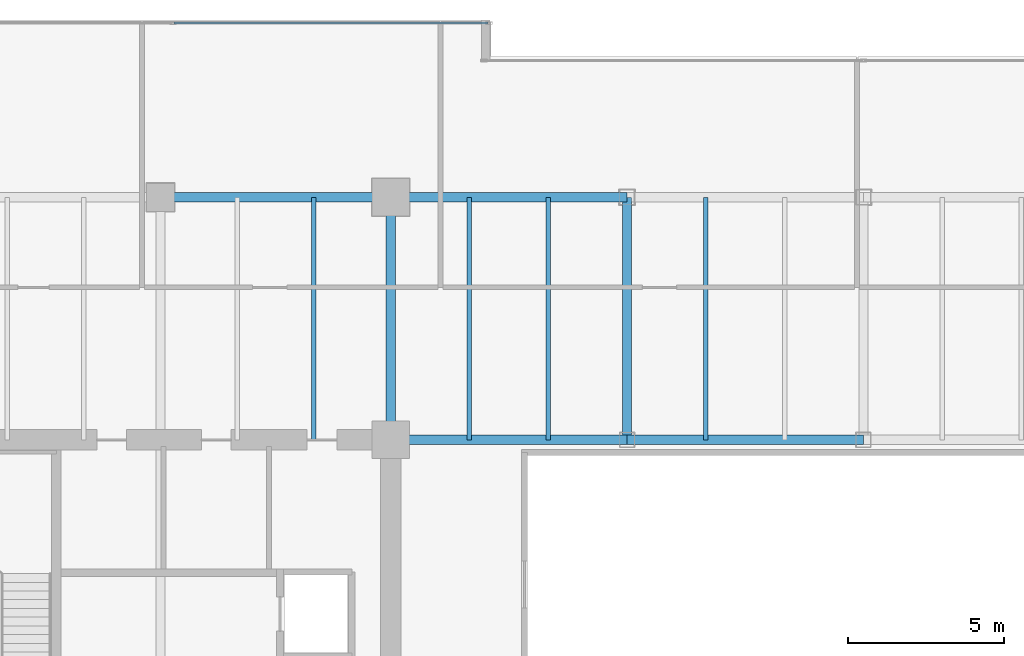
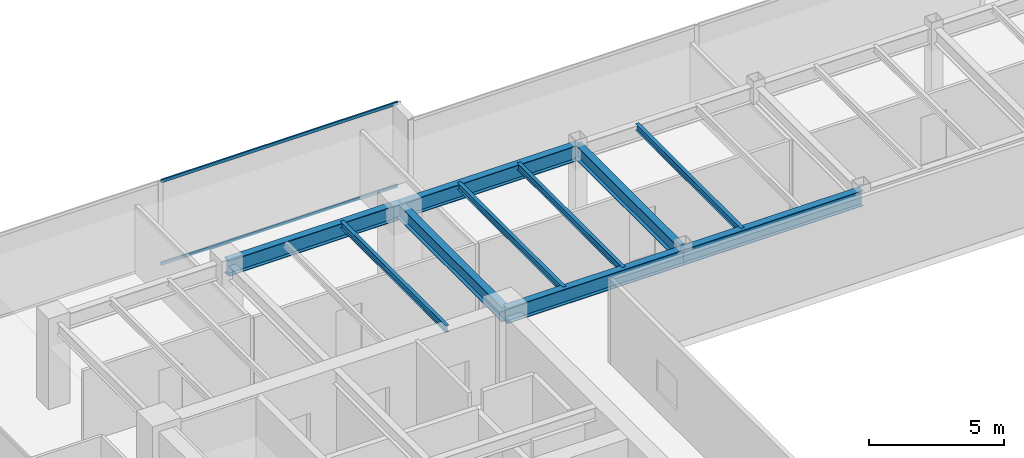
# One storey, part 15 of 33: 10 beams, 2 members, 1 element without a shape of its own.
"""IFC4 building model written with IfcOpenShell, lengths in metres."""

from ifc_helpers import new_model, si_unit, direction, frame, origin, origin_2d, place, context, subcontext, project, spatial, hollow_rectangle, i_section, extrude, source, transform, mapped, material, layer, layer_set, material_profile, profile_set, type_object, type_shapes, element, aggregate, save


model = new_model("IFC4")

# Units and contexts
model_context = context("Model", 3, precision=1e-05, world=origin(), true_north=direction((0.0, 1.0)))
body_context = subcontext(model_context, "Body", "Model", "MODEL_VIEW")
ifc_project = project(units=[si_unit("LENGTHUNIT", "METRE"), si_unit("AREAUNIT", "SQUARE_METRE"), si_unit("VOLUMEUNIT", "CUBIC_METRE"), si_unit("PLANEANGLEUNIT", "RADIAN"), si_unit("MASSUNIT", "GRAM", prefix="KILO")], contexts=[model_context])

# Site, building, storey
site_placement = place(None, origin())
site = spatial("IfcSite", under=ifc_project, at=site_placement, CompositionType="ELEMENT")
building_placement = place(site_placement, origin())
building = spatial("IfcBuilding", under=site, at=building_placement, Name="Haelvirn Gate Laboratories", CompositionType="ELEMENT")
storey_placement = place(building_placement, frame((0.0, 0.0, 133.800048828125)))
storey = spatial("IfcBuildingStorey", under=building, at=storey_placement, Name="L32", CompositionType="ELEMENT", Elevation=133.800048828125)

# Beams
ifc_material_1 = material(Name="Steel SM355", Category="steel")
ifc_material_profile_1 = material_profile(ifc_material_1, i_section(OverallWidth=0.300048828125, OverallDepth=0.64990234375, WebThickness=0.012939453125, FlangeThickness=0.02197265625, at=origin_2d()), Name="H-650x300x13x22")
ifc_profile_set_1 = profile_set([ifc_material_profile_1], Name="Steel SM355")
beam_type_1 = type_object("IfcBeamType", Name="BM-G-650", PredefinedType="BEAM", material=ifc_profile_set_1)
shared_shape_1 = source(origin(), body_context, "Body", "SweptSolid", [
    extrude(i_section(OverallWidth=0.300048828125, OverallDepth=0.64990234375, WebThickness=0.012939453125, FlangeThickness=0.02197265625, at=origin_2d()), origin(), (0.0, 0.0, 1.0), 7.800048828125),
])
type_shapes(beam_type_1, [shared_shape_1])
for number, where, z_axis, x_axis, name in (
    (1, (22.199951171875, 33.800048828125, 3.46484375), (0.0, 1.0, 0.0), (-1.0, 0.0, 0.0), "L32 Frame Girder X22.2 (33.8-41.6)"),
    (2, (29.800048828125, 33.800048828125, 3.46484375), (0.0, 1.0, 0.0), (-1.0, 0.0, 0.0), "L32 Frame Girder X29.8 (33.8-41.6)"),
):
    element("IfcBeam", number, at=place(storey_placement, frame(where, z_axis=z_axis, x_axis=x_axis)), inside=storey, type_object=beam_type_1, Name=name, PredefinedType="BEAM", context=body_context, shape_type="MappedRepresentation", body=[
        mapped(shared_shape_1, transform((0.0, 0.0, 0.0), scale=1.0)),
    ])
ifc_material_profile_2 = material_profile(ifc_material_1, i_section(OverallWidth=0.300048828125, OverallDepth=0.699951171875, WebThickness=0.012939453125, FlangeThickness=0.02392578125, at=origin_2d()), Name="H-700x300x13x24")
ifc_profile_set_2 = profile_set([ifc_material_profile_2], Name="Steel SM355")
beam_type_2 = type_object("IfcBeamType", Name="BM-G-700", PredefinedType="BEAM", material=ifc_profile_set_2)
shared_shape_2 = source(origin(), body_context, "Body", "SweptSolid", [
    extrude(i_section(OverallWidth=0.300048828125, OverallDepth=0.699951171875, WebThickness=0.012939453125, FlangeThickness=0.02392578125, at=origin_2d()), origin(), (0.0, 0.0, 1.0), 7.39990234375),
])
beam_1_placement = place(storey_placement, frame((14.800048828125, 41.60009765625, 3.43994140625), z_axis=(1.0, 0.0, 0.0), x_axis=(0.0, 1.0, 0.0)))
element("IfcBeam", 3, at=beam_1_placement, inside=storey, type_object=beam_type_2, Name="L32 Primary Girder Y41.6 (14.8-22.2)", PredefinedType="BEAM", context=body_context, shape_type="MappedRepresentation", body=[
    mapped(shared_shape_2, transform((0.0, 0.0, 0.0), scale=1.0)),
])
shared_shape_3 = source(origin(), body_context, "Body", "SweptSolid", [
    extrude(i_section(OverallWidth=0.300048828125, OverallDepth=0.699951171875, WebThickness=0.012939453125, FlangeThickness=0.02392578125, at=origin_2d()), origin(), (0.0, 0.0, 1.0), 7.60009765625),
])
for number, where, z_axis, x_axis, name in (
    (4, (22.199951171875, 33.800048828125, 3.43994140625), (1.0, 0.0, 0.0), (0.0, 1.0, 0.0), "L32 Primary Girder Y33.8 (22.2-29.8)"),
    (5, (22.199951171875, 41.60009765625, 3.43994140625), (1.0, 0.0, 0.0), (0.0, 1.0, 0.0), "L32 Primary Girder Y41.6 (22.2-29.8)"),
):
    element("IfcBeam", number, at=place(storey_placement, frame(where, z_axis=z_axis, x_axis=x_axis)), inside=storey, type_object=beam_type_2, Name=name, PredefinedType="BEAM", context=body_context, shape_type="MappedRepresentation", body=[
        mapped(shared_shape_3, transform((0.0, 0.0, 0.0), scale=1.0)),
    ])
shared_shape_4 = source(origin(), body_context, "Body", "SweptSolid", [
    extrude(i_section(OverallWidth=0.300048828125, OverallDepth=0.699951171875, WebThickness=0.012939453125, FlangeThickness=0.02392578125, at=origin_2d()), origin(), (0.0, 0.0, 1.0), 7.599853515625),
])
type_shapes(beam_type_2, [shared_shape_2, shared_shape_3, shared_shape_4])
beam_2_placement = place(storey_placement, frame((29.800048828125, 33.800048828125, 3.43994140625), z_axis=(1.0, 0.0, 0.0), x_axis=(0.0, 1.0, 0.0)))
element("IfcBeam", 6, at=beam_2_placement, inside=storey, type_object=beam_type_2, Name="L32 Primary Girder Y33.8 (29.8-37.4)", PredefinedType="BEAM", context=body_context, shape_type="MappedRepresentation", body=[
    mapped(shared_shape_4, transform((0.0, 0.0, 0.0), scale=1.0)),
])
ifc_material_profile_3 = material_profile(ifc_material_1, i_section(OverallWidth=0.14990234375, OverallDepth=0.300048828125, WebThickness=0.006591796875, FlangeThickness=0.009033203125, at=origin_2d()), Name="H-300x150x6.5x9")
ifc_profile_set_3 = profile_set([ifc_material_profile_3], Name="Steel SM355")
beam_type_3 = type_object("IfcBeamType", Name="BM-J-300", PredefinedType="JOIST", material=ifc_profile_set_3)
shared_shape_5 = source(origin(), body_context, "Body", "SweptSolid", [
    extrude(i_section(OverallWidth=0.14990234375, OverallDepth=0.300048828125, WebThickness=0.006591796875, FlangeThickness=0.009033203125, at=origin_2d()), origin(), (0.0, 0.0, 1.0), 7.800048828125),
])
type_shapes(beam_type_3, [shared_shape_5])
for number, where, z_axis, x_axis, name in (
    (7, (19.72998046875, 33.800048828125, 3.639892578125), (0.0, 1.0, 0.0), (-1.0, 0.0, 0.0), "L32 Composite Lab Joist North X19.73"),
    (8, (24.72998046875, 33.800048828125, 3.639892578125), (0.0, 1.0, 0.0), (-1.0, 0.0, 0.0), "L32 Composite Lab Joist North X24.73"),
    (9, (27.27001953125, 33.800048828125, 3.639892578125), (0.0, 1.0, 0.0), (-1.0, 0.0, 0.0), "L32 Composite Lab Joist North X27.27"),
    (10, (32.330078125, 33.800048828125, 3.639892578125), (0.0, 1.0, 0.0), (-1.0, 0.0, 0.0), "L32 Composite Lab Joist North X32.33"),
):
    element("IfcBeam", number, at=place(storey_placement, frame(where, z_axis=z_axis, x_axis=x_axis)), inside=storey, type_object=beam_type_3, Name=name, PredefinedType="JOIST", context=body_context, shape_type="MappedRepresentation", body=[
        mapped(shared_shape_5, transform((0.0, 0.0, 0.0), scale=1.0)),
    ])

# Curtain wall, members
ifc_material_2 = material(Name="Anodised bronze unitised aluminium & triple low-E glass", Category="aluminium")
ifc_layer = layer(ifc_material_2, 0.179931640625, Name="CW-SYS-3")
ifc_layer_set = layer_set([ifc_layer], Name="Anodised bronze unitised aluminium & triple low-E glass")
curtain_wall_type = type_object("IfcCurtainWallType", Name="CW-SYS-3", PredefinedType="NOTDEFINED", material=ifc_layer_set)
curtain_wall_placement = place(storey_placement, origin())
curtain_wall = element("IfcCurtainWall", 11, at=curtain_wall_placement, inside=storey, type_object=curtain_wall_type, Name="L32 Unitised Curtain Wall CW-L32-P0-E14-1", PredefinedType="NOTDEFINED")
ifc_material_3 = material(Name="Extruded aluminium 6063-T6 (anodised bronze)", Category="aluminium")
ifc_material_profile_4 = material_profile(ifc_material_3, hollow_rectangle(XDim=0.06494140625, YDim=0.139892578125, WallThickness=0.00390625, at=origin_2d()), Name="CWT-140x65x4")
ifc_profile_set_4 = profile_set([ifc_material_profile_4], Name="Extruded aluminium 6063-T6 (anodised bronze)")
member_type = type_object("IfcMemberType", Name="CWT-T140", PredefinedType="USERDEFINED", material=ifc_profile_set_4)
shared_shape_6 = source(origin(), body_context, "Body", "SweptSolid", [
    extrude(hollow_rectangle(XDim=0.06494140625, YDim=0.139892578125, WallThickness=0.00390625, at=origin_2d()), origin(), (0.0, 0.0, 1.0), 10.08740234375),
])
type_shapes(member_type, [shared_shape_6])
member_1_placement = place(storey_placement, frame((15.237548828125, 47.199951171875, 0.032470703125), z_axis=(1.0, 0.0, 0.0), x_axis=(0.0, 1.0, 0.0)))
member_1 = element("IfcMember", 12, at=member_1_placement, type_object=member_type, Name="CW3 transom 2.1", ObjectType="TRANSOM", PredefinedType="USERDEFINED", context=body_context, shape_type="MappedRepresentation", body=[
    mapped(shared_shape_6, transform((0.0, 0.0, 0.0), scale=1.0)),
])
member_2_placement = place(storey_placement, frame((15.237548828125, 47.199951171875, 3.757568359375), z_axis=(1.0, 0.0, 0.0), x_axis=(0.0, 1.0, 0.0)))
member_2 = element("IfcMember", 13, at=member_2_placement, type_object=member_type, Name="CW3 transom 2.2", ObjectType="TRANSOM", PredefinedType="USERDEFINED", context=body_context, shape_type="MappedRepresentation", body=[
    mapped(shared_shape_6, transform((0.0, 0.0, 0.0), scale=1.0)),
])
aggregate(curtain_wall, [member_1, member_2])

save(model, "model.ifc")
